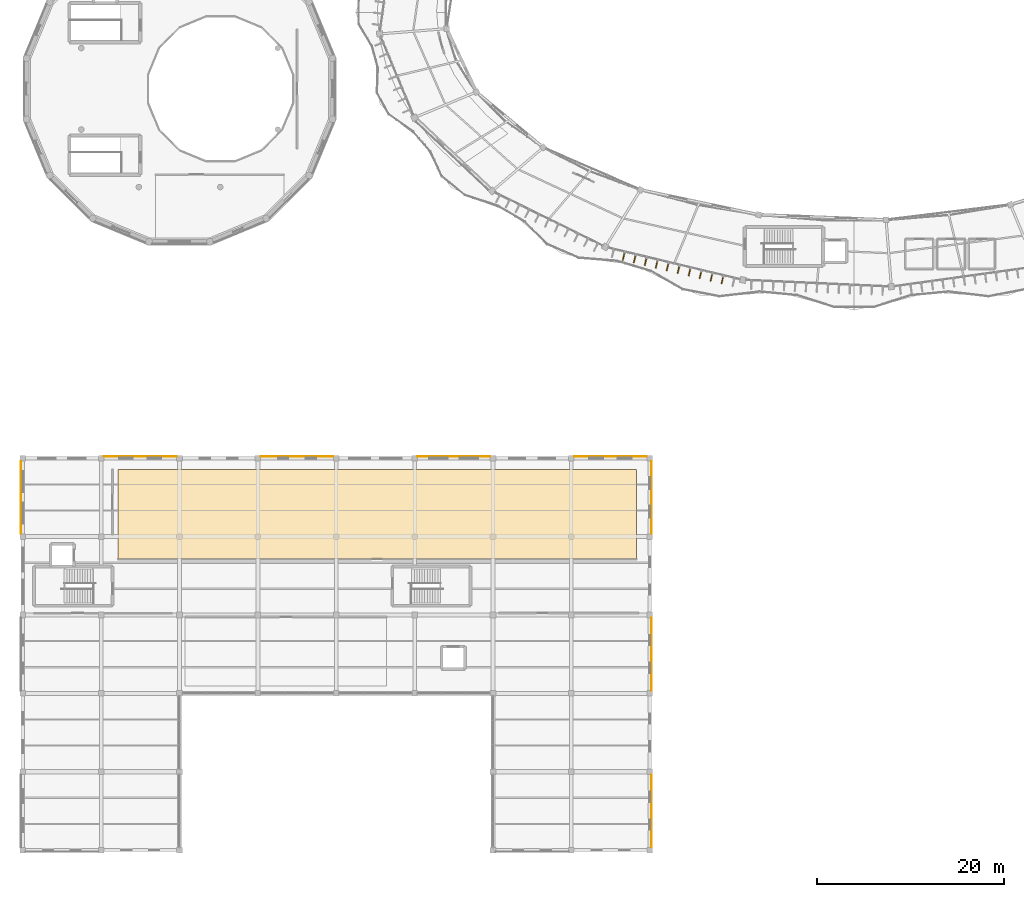
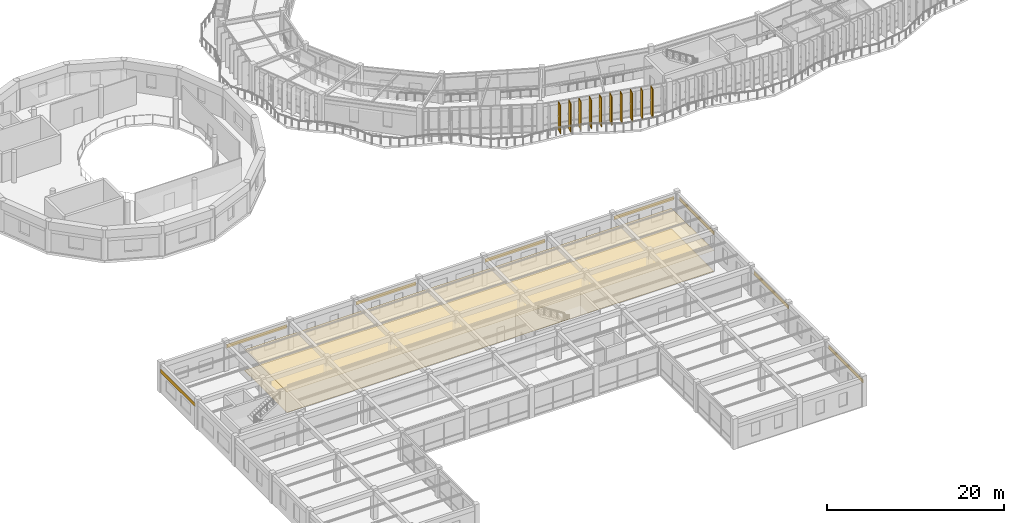
# One storey, part 106 of 114: 10 coverings, 10 shading devices.
"""IFC4 building model written with IfcOpenShell, lengths in metres."""

from ifc_helpers import new_model, si_unit, direction, frame, origin, origin_2d, place, context, subcontext, project, spatial, polyline, rectangle, outline, extrude, material, layer, layer_set, type_object, element, save


model = new_model("IFC4")

# Units and contexts
model_context = context("Model", 3, precision=1e-05, world=origin(), true_north=direction((0.0, 1.0)))
body_context = subcontext(model_context, "Body", "Model", "MODEL_VIEW")
ifc_project = project(units=[si_unit("LENGTHUNIT", "METRE"), si_unit("AREAUNIT", "SQUARE_METRE"), si_unit("VOLUMEUNIT", "CUBIC_METRE"), si_unit("PLANEANGLEUNIT", "RADIAN"), si_unit("MASSUNIT", "GRAM", prefix="KILO"), si_unit("THERMODYNAMICTEMPERATUREUNIT", "KELVIN"), si_unit("POWERUNIT", "WATT")], contexts=[model_context])

# Site, building, storey
site_placement = place(None, origin())
site = spatial("IfcSite", under=ifc_project, at=site_placement, CompositionType="ELEMENT")
building_placement = place(site_placement, origin())
building = spatial("IfcBuilding", under=site, at=building_placement, Name="Darbajah Civic Hall", CompositionType="ELEMENT")
storey_placement = place(building_placement, frame((0.0, 0.0, 13.800048828125)))
storey = spatial("IfcBuildingStorey", under=building, at=storey_placement, Name="L03", CompositionType="ELEMENT", Elevation=13.800048828125)

# Coverings
ifc_material_1 = material(Name="Honed Qatari Limestone Terrazzo", Category="masonry")
ifc_layer_1 = layer(ifc_material_1, 0.030029296875, Name="Honed Qatari Limestone Terrazzo")
ifc_layer_set_1 = layer_set([ifc_layer_1], Name="Honed Qatari Limestone Terrazzo")
covering_type_1 = type_object("IfcCoveringType", Name="Honed Qatari Limestone Terrazzo Flooring", PredefinedType="FLOORING", material=ifc_layer_set_1)
covering_1_placement = place(storey_placement, origin())
element("IfcCovering", 1, at=covering_1_placement, inside=storey, type_object=covering_type_1, Name="L03 stone terrazzo flooring L03-V5-04", PredefinedType="FLOORING", context=body_context, shape_type="SweptSolid", body=[
    extrude(outline(polyline([(10.199951171875, 31.199951171875), (65.800048828125, 31.199951171875), (65.800048828125, 40.800048828125), (10.199951171875, 40.800048828125), (10.199951171875, 31.199951171875)])), origin(), (0.0, 0.0, 1.0), 0.030029296875),
])
ifc_material_2 = material(Name="Qatari Desert Limestone Ashlar", Category="masonry")
ifc_layer_2 = layer(ifc_material_2, 0.044921875, Name="Qatari Desert Limestone Ashlar")
ifc_layer_set_2 = layer_set([ifc_layer_2], Name="Qatari Desert Limestone Ashlar")
covering_type_2 = type_object("IfcCoveringType", Name="Limestone Facade Cladding", PredefinedType="CLADDING", material=ifc_layer_set_2)
covering_2_placement = place(storey_placement, frame((0.0, 0.0, 2.7900390625)))
element("IfcCovering", 2, at=covering_2_placement, inside=storey, type_object=covering_type_2, Name="L03 stone frieze cladding EW-V5-L03-S5-B0", PredefinedType="CLADDING", context=body_context, shape_type="SweptSolid", body=[
    extrude(outline(polyline([(67.35498046875, 0.302001953125), (67.35498046875, 8.097900390625), (67.39990234375, 8.097900390625), (67.39990234375, 0.302001953125), (67.35498046875, 0.302001953125)])), origin(), (0.0, 0.0, 1.0), 0.5),
])
covering_3_placement = place(storey_placement, frame((0.0, 0.0, 2.7900390625)))
element("IfcCovering", 3, at=covering_3_placement, inside=storey, type_object=covering_type_2, Name="L03 stone frieze cladding EW-V5-L03-S5-B2", PredefinedType="CLADDING", context=body_context, shape_type="SweptSolid", body=[
    extrude(outline(polyline([(67.35498046875, 17.10205078125), (67.35498046875, 24.89794921875), (67.39990234375, 24.89794921875), (67.39990234375, 17.10205078125), (67.35498046875, 17.10205078125)])), origin(), (0.0, 0.0, 1.0), 0.5),
])
covering_4_placement = place(storey_placement, frame((0.0, 0.0, 2.7900390625)))
element("IfcCovering", 4, at=covering_4_placement, inside=storey, type_object=covering_type_2, Name="L03 stone frieze cladding EW-V5-L03-S5-B4", PredefinedType="CLADDING", context=body_context, shape_type="SweptSolid", body=[
    extrude(outline(polyline([(67.35498046875, 33.902099609375), (67.35498046875, 41.697998046875), (67.39990234375, 41.697998046875), (67.39990234375, 33.902099609375), (67.35498046875, 33.902099609375)])), origin(), (0.0, 0.0, 1.0), 0.5),
])
covering_5_placement = place(storey_placement, frame((0.0, 0.0, 2.7900390625)))
element("IfcCovering", 5, at=covering_5_placement, inside=storey, type_object=covering_type_2, Name="L03 stone frieze cladding EW-V5-L03-S6-B0", PredefinedType="CLADDING", context=body_context, shape_type="SweptSolid", body=[
    extrude(outline(polyline([(66.89794921875, 42.155029296875), (59.10205078125, 42.155029296875), (59.10205078125, 42.199951171875), (66.89794921875, 42.199951171875), (66.89794921875, 42.155029296875)])), origin(), (0.0, 0.0, 1.0), 0.5),
])
covering_6_placement = place(storey_placement, frame((0.0, 0.0, 2.7900390625)))
element("IfcCovering", 6, at=covering_6_placement, inside=storey, type_object=covering_type_2, Name="L03 stone frieze cladding EW-V5-L03-S6-B2", PredefinedType="CLADDING", context=body_context, shape_type="SweptSolid", body=[
    extrude(outline(polyline([(50.097900390625, 42.155029296875), (42.302001953125, 42.155029296875), (42.302001953125, 42.199951171875), (50.097900390625, 42.199951171875), (50.097900390625, 42.155029296875)])), origin(), (0.0, 0.0, 1.0), 0.5),
])
covering_7_placement = place(storey_placement, frame((0.0, 0.0, 2.7900390625)))
element("IfcCovering", 7, at=covering_7_placement, inside=storey, type_object=covering_type_2, Name="L03 stone frieze cladding EW-V5-L03-S6-B4", PredefinedType="CLADDING", context=body_context, shape_type="SweptSolid", body=[
    extrude(outline(polyline([(33.298095703125, 42.155029296875), (25.501953125, 42.155029296875), (25.501953125, 42.199951171875), (33.298095703125, 42.199951171875), (33.298095703125, 42.155029296875)])), origin(), (0.0, 0.0, 1.0), 0.5),
])
covering_8_placement = place(storey_placement, frame((0.0, 0.0, 2.7900390625)))
element("IfcCovering", 8, at=covering_8_placement, inside=storey, type_object=covering_type_2, Name="L03 stone frieze cladding EW-V5-L03-S6-B6", PredefinedType="CLADDING", context=body_context, shape_type="SweptSolid", body=[
    extrude(outline(polyline([(16.498046875, 42.155029296875), (8.701904296875, 42.155029296875), (8.701904296875, 42.199951171875), (16.498046875, 42.199951171875), (16.498046875, 42.155029296875)])), origin(), (0.0, 0.0, 1.0), 0.5),
])
covering_9_placement = place(storey_placement, frame((0.0, 0.0, 2.7900390625)))
element("IfcCovering", 9, at=covering_9_placement, inside=storey, type_object=covering_type_2, Name="L03 stone frieze cladding EW-V5-L03-S7-B0", PredefinedType="CLADDING", context=body_context, shape_type="SweptSolid", body=[
    extrude(outline(polyline([(-0.155029296875, 41.697998046875), (-0.155029296875, 33.902099609375), (-0.199951171875, 33.902099609375), (-0.199951171875, 41.697998046875), (-0.155029296875, 41.697998046875)])), origin(), (0.0, 0.0, 1.0), 0.5),
])
ifc_material_3 = material(Name="Perforated Acoustic Gypsum Board")
ifc_layer_3 = layer(ifc_material_3, 0.02490234375, Name="Perforated Acoustic Gypsum Board")
ifc_layer_set_3 = layer_set([ifc_layer_3], Name="Perforated Acoustic Gypsum Board")
covering_type_3 = type_object("IfcCoveringType", Name="Perforated Acoustic Gypsum Ceiling", PredefinedType="CEILING", material=ifc_layer_set_3)
covering_10_placement = place(storey_placement, frame((0.0, 0.0, 2.849853515625)))
element("IfcCovering", 10, at=covering_10_placement, inside=storey, type_object=covering_type_3, Name="L03 acoustic suspended ceiling L03-V5-04", PredefinedType="CEILING", context=body_context, shape_type="SweptSolid", body=[
    extrude(outline(polyline([(10.199951171875, 31.199951171875), (65.800048828125, 31.199951171875), (65.800048828125, 40.800048828125), (10.199951171875, 40.800048828125), (10.199951171875, 31.199951171875)])), origin(), (0.0, 0.0, 1.0), 0.025146484375),
])

# Shading devices
ifc_material_4 = material(Name="Bronze Anodised Aluminium and Teak Composite", Category="aluminium")
shading_device_type = type_object("IfcShadingDeviceType", Name="Vertical Bronze Timber Shading Fin", PredefinedType="USERDEFINED", material=ifc_material_4)
for number, where, z_axis, x_axis, name in (
    (11, (64.413818359375, 63.647705078125, 0.0), (0.0, 0.0, 1.0), (-0.232936200179, -0.972492018808, 0.0), "L03 vertical shading fin VF-13-2"),
    (12, (65.58935546875, 63.365966796875, 0.0), (0.0, 0.0, 1.0), (-0.232936200179, -0.972492018808, 0.0), "L03 vertical shading fin VF-13-3"),
    (13, (66.764892578125, 63.08447265625, 0.0), (0.0, 0.0, 1.0), (-0.232936200179, -0.972492018808, 0.0), "L03 vertical shading fin VF-13-4"),
    (14, (67.940185546875, 62.802734375, 0.0), (0.0, 0.0, 1.0), (-0.232936200179, -0.972492018808, 0.0), "L03 vertical shading fin VF-13-5"),
    (15, (69.11572265625, 62.52099609375, 0.0), (0.0, 0.0, 1.0), (-0.232936200179, -0.972492018808, 0.0), "L03 vertical shading fin VF-13-6"),
    (16, (70.291259765625, 62.239501953125, 0.0), (0.0, 0.0, 1.0), (-0.232936200179, -0.972492018808, 0.0), "L03 vertical shading fin VF-13-7"),
    (17, (71.466796875, 61.957763671875, 0.0), (0.0, 0.0, 1.0), (-0.232936200179, -0.972492018808, 0.0), "L03 vertical shading fin VF-13-8"),
    (18, (72.64208984375, 61.67626953125, 0.0), (0.0, 0.0, 1.0), (-0.232936200179, -0.972492018808, 0.0), "L03 vertical shading fin VF-13-9"),
    (19, (73.817626953125, 61.39453125, 0.0), (0.0, 0.0, 1.0), (-0.232936200179, -0.972492018808, 0.0), "L03 vertical shading fin VF-13-10"),
    (20, (74.996826171875, 61.128662109375, 0.0), (0.0, 0.0, 1.0), (-0.232936200179, -0.972492018808, 0.0), "L03 vertical shading fin VF-13-11"),
):
    element("IfcShadingDevice", number, at=place(storey_placement, frame(where, z_axis=z_axis, x_axis=x_axis)), inside=storey, type_object=shading_device_type, Name=name, ObjectType="VERTICAL FIN", PredefinedType="USERDEFINED", context=body_context, shape_type="SweptSolid", body=[
        extrude(rectangle(XDim=0.85009765625, YDim=0.090087890625, at=origin_2d()), origin(), (0.0, 0.0, 1.0), 3.919921875),
    ])

save(model, "model.ifc")
